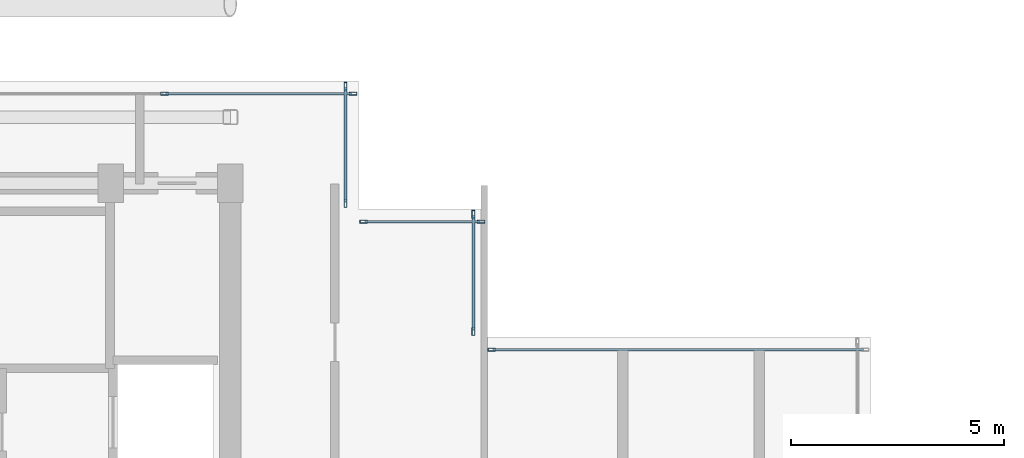
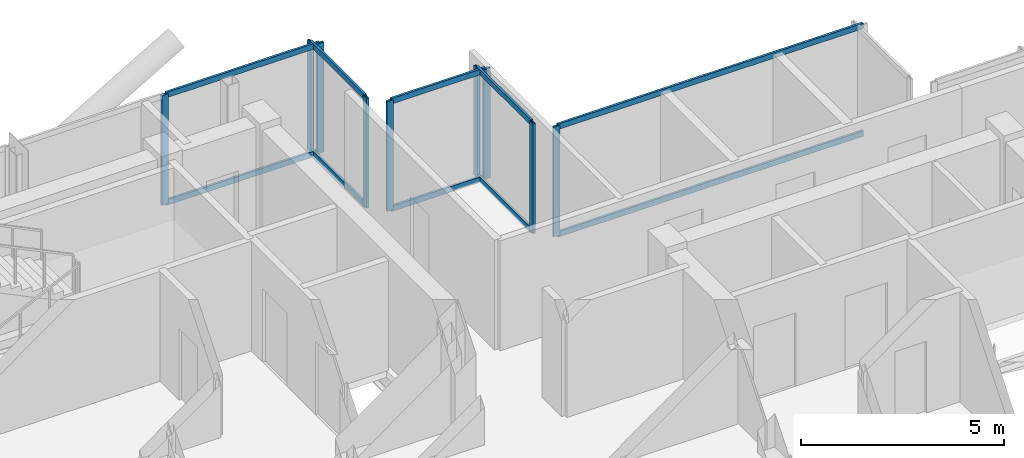
# One storey, part 10 of 18: 19 members, 5 elements without a shape of their own.
"""IFC4 building model written with IfcOpenShell, lengths in metres."""

from ifc_helpers import new_model, si_unit, direction, frame, origin, origin_2d, place, context, subcontext, project, spatial, hollow_rectangle, extrude, material, layer, layer_set, material_profile, profile_set, type_object, element, aggregate, save


model = new_model("IFC4")

# Units and contexts
model_context = context("Model", 3, precision=1e-05, world=origin(), true_north=direction((0.0, 1.0)))
body_context = subcontext(model_context, "Body", "Model", "MODEL_VIEW")
ifc_project = project(units=[si_unit("LENGTHUNIT", "METRE"), si_unit("AREAUNIT", "SQUARE_METRE"), si_unit("VOLUMEUNIT", "CUBIC_METRE"), si_unit("PLANEANGLEUNIT", "RADIAN"), si_unit("MASSUNIT", "GRAM", prefix="KILO"), si_unit("THERMODYNAMICTEMPERATUREUNIT", "KELVIN"), si_unit("POWERUNIT", "WATT")], contexts=[model_context])

# Site, building, storey
site_placement = place(None, origin())
site = spatial("IfcSite", under=ifc_project, at=site_placement, CompositionType="ELEMENT")
building_placement = place(site_placement, origin())
building = spatial("IfcBuilding", under=site, at=building_placement, Name="Svarakhadi Broadcast Tower", CompositionType="ELEMENT")
storey_placement = place(building_placement, frame((0.0, 0.0, 246.699951171875)))
storey = spatial("IfcBuildingStorey", under=building, at=storey_placement, Name="L61", CompositionType="ELEMENT", Elevation=246.699951171875)

# Curtain wall, members
ifc_material = material(Name="Anodised Bronze Aluminium AA 6063-T6", Category="aluminium")
ifc_layer = layer(ifc_material, 0.179931640625)
ifc_layer_set = layer_set([ifc_layer], Name="Anodised Bronze Aluminium AA 6063-T6")
curtain_wall_type = type_object("IfcCurtainWallType", Name="CW_Sys_05", PredefinedType="NOTDEFINED", material=ifc_layer_set)
curtain_wall_1_placement = place(storey_placement, origin())
curtain_wall_1 = element("IfcCurtainWall", 1, at=curtain_wall_1_placement, inside=storey, type_object=curtain_wall_type, Name="L61 Unitised Facade Curtain Wall 05", PredefinedType="NOTDEFINED")
ifc_material_profile_1 = material_profile(ifc_material, hollow_rectangle(XDim=0.070068359375, YDim=0.179931640625, WallThickness=0.005615234375, at=origin_2d()), Name="ALU MULLION 180x70x6")
ifc_profile_set_1 = profile_set([ifc_material_profile_1], Name="Anodised Bronze Aluminium AA 6063-T6")
member_type_1 = type_object("IfcMemberType", Name="CW_Sys_05_Mul", PredefinedType="MULLION", material=ifc_profile_set_1)
member_1_placement = place(storey_placement, frame((16.455078125, 29.699951171875, 0.0), z_axis=(0.0, 0.0, 1.0), x_axis=(0.0, 1.0, 0.0)))
member_1 = element("IfcMember", 2, at=member_1_placement, type_object=member_type_1, Name="CW-05 mullion 4", PredefinedType="MULLION", context=body_context, shape_type="SweptSolid", body=[
    extrude(hollow_rectangle(XDim=0.070068359375, YDim=0.179931640625, WallThickness=0.005615234375, at=origin_2d()), origin(), (0.0, 0.0, 1.0), 3.300048828125),
])
member_2_placement = place(storey_placement, frame((20.875, 29.699951171875, 0.0), z_axis=(0.0, 0.0, 1.0), x_axis=(0.0, 1.0, 0.0)))
member_2 = element("IfcMember", 3, at=member_2_placement, type_object=member_type_1, Name="CW-05 mullion 5", PredefinedType="MULLION", context=body_context, shape_type="SweptSolid", body=[
    extrude(hollow_rectangle(XDim=0.070068359375, YDim=0.179931640625, WallThickness=0.005615234375, at=origin_2d()), origin(), (0.0, 0.0, 1.0), 3.300048828125),
])

curtain_wall_2_placement = place(storey_placement, origin())
curtain_wall_2 = element("IfcCurtainWall", 4, at=curtain_wall_2_placement, inside=storey, type_object=curtain_wall_type, Name="L61 Unitised Facade Curtain Wall 06", PredefinedType="NOTDEFINED")
member_3_placement = place(storey_placement, frame((20.699951171875, 29.875, 0.0), z_axis=(0.0, 0.0, 1.0), x_axis=(1.0, 0.0, 0.0)))
member_3 = element("IfcMember", 5, at=member_3_placement, type_object=member_type_1, Name="CW-05 mullion 1", PredefinedType="MULLION", context=body_context, shape_type="SweptSolid", body=[
    extrude(hollow_rectangle(XDim=0.070068359375, YDim=0.179931640625, WallThickness=0.005615234375, at=origin_2d()), origin(), (0.0, 0.0, 1.0), 3.300048828125),
])
member_4_placement = place(storey_placement, frame((20.699951171875, 27.125, 0.0), z_axis=(0.0, 0.0, 1.0), x_axis=(1.0, 0.0, 0.0)))
member_4 = element("IfcMember", 6, at=member_4_placement, type_object=member_type_1, Name="CW-05 mullion 2", PredefinedType="MULLION", context=body_context, shape_type="SweptSolid", body=[
    extrude(hollow_rectangle(XDim=0.070068359375, YDim=0.179931640625, WallThickness=0.005615234375, at=origin_2d()), origin(), (0.0, 0.0, 1.0), 3.300048828125),
])

curtain_wall_3_placement = place(storey_placement, origin())
curtain_wall_3 = element("IfcCurtainWall", 7, at=curtain_wall_3_placement, inside=storey, type_object=curtain_wall_type, Name="L61 Unitised Facade Curtain Wall 07", PredefinedType="NOTDEFINED")
member_5_placement = place(storey_placement, frame((21.125, 26.699951171875, 0.0), z_axis=(0.0, 0.0, 1.0), x_axis=(0.0, 1.0, 0.0)))
member_5 = element("IfcMember", 8, at=member_5_placement, type_object=member_type_1, Name="CW-05 mullion 1", PredefinedType="MULLION", context=body_context, shape_type="SweptSolid", body=[
    extrude(hollow_rectangle(XDim=0.070068359375, YDim=0.179931640625, WallThickness=0.005615234375, at=origin_2d()), origin(), (0.0, 0.0, 1.0), 3.300048828125),
])
member_6_placement = place(storey_placement, frame((23.875, 26.699951171875, 0.0), z_axis=(0.0, 0.0, 1.0), x_axis=(0.0, 1.0, 0.0)))
member_6 = element("IfcMember", 9, at=member_6_placement, type_object=member_type_1, Name="CW-05 mullion 2", PredefinedType="MULLION", context=body_context, shape_type="SweptSolid", body=[
    extrude(hollow_rectangle(XDim=0.070068359375, YDim=0.179931640625, WallThickness=0.005615234375, at=origin_2d()), origin(), (0.0, 0.0, 1.0), 3.300048828125),
])

curtain_wall_4_placement = place(storey_placement, origin())
curtain_wall_4 = element("IfcCurtainWall", 10, at=curtain_wall_4_placement, inside=storey, type_object=curtain_wall_type, Name="L61 Unitised Facade Curtain Wall 08", PredefinedType="NOTDEFINED")
member_7_placement = place(storey_placement, frame((23.699951171875, 26.875, 0.0), z_axis=(0.0, 0.0, 1.0), x_axis=(1.0, 0.0, 0.0)))
member_7 = element("IfcMember", 11, at=member_7_placement, type_object=member_type_1, Name="CW-05 mullion 1", PredefinedType="MULLION", context=body_context, shape_type="SweptSolid", body=[
    extrude(hollow_rectangle(XDim=0.070068359375, YDim=0.179931640625, WallThickness=0.005615234375, at=origin_2d()), origin(), (0.0, 0.0, 1.0), 3.300048828125),
])
member_8_placement = place(storey_placement, frame((23.699951171875, 24.125, 0.0), z_axis=(0.0, 0.0, 1.0), x_axis=(1.0, 0.0, 0.0)))
member_8 = element("IfcMember", 12, at=member_8_placement, type_object=member_type_1, Name="CW-05 mullion 2", PredefinedType="MULLION", context=body_context, shape_type="SweptSolid", body=[
    extrude(hollow_rectangle(XDim=0.070068359375, YDim=0.179931640625, WallThickness=0.005615234375, at=origin_2d()), origin(), (0.0, 0.0, 1.0), 3.300048828125),
])

# Curtain wall, member
curtain_wall_5_placement = place(storey_placement, origin())
curtain_wall_5 = element("IfcCurtainWall", 13, at=curtain_wall_5_placement, inside=storey, type_object=curtain_wall_type, Name="L61 Unitised Facade Curtain Wall 09", PredefinedType="NOTDEFINED")
member_9_placement = place(storey_placement, frame((24.125, 23.699951171875, 0.0), z_axis=(0.0, 0.0, 1.0), x_axis=(0.0, 1.0, 0.0)))
member_9 = element("IfcMember", 14, at=member_9_placement, type_object=member_type_1, Name="CW-05 mullion 1", PredefinedType="MULLION", context=body_context, shape_type="SweptSolid", body=[
    extrude(hollow_rectangle(XDim=0.070068359375, YDim=0.179931640625, WallThickness=0.005615234375, at=origin_2d()), origin(), (0.0, 0.0, 1.0), 3.300048828125),
])

# Member
ifc_material_profile_2 = material_profile(ifc_material, hollow_rectangle(XDim=0.06494140625, YDim=0.1650390625, WallThickness=0.0048828125, at=origin_2d()), Name="ALU TRANSOM 165x65x5")
ifc_profile_set_2 = profile_set([ifc_material_profile_2], Name="Anodised Bronze Aluminium AA 6063-T6")
member_type_2 = type_object("IfcMemberType", Name="CW_Sys_05_Trn", PredefinedType="USERDEFINED", material=ifc_profile_set_2)
member_10_placement = place(storey_placement, frame((16.489990234375, 29.699951171875, 0.032470703125), z_axis=(1.0, 0.0, 0.0), x_axis=(0.0, 1.0, 0.0)))
member_10 = element("IfcMember", 15, at=member_10_placement, type_object=member_type_2, Name="CW-05 transom 4.1", ObjectType="TRANSOM", PredefinedType="USERDEFINED", context=body_context, shape_type="SweptSolid", body=[
    extrude(hollow_rectangle(XDim=0.06494140625, YDim=0.1650390625, WallThickness=0.0048828125, at=origin_2d()), origin(), (0.0, 0.0, 1.0), 4.35009765625),
])

member_11_placement = place(storey_placement, frame((16.489990234375, 29.699951171875, 3.267578125), z_axis=(1.0, 0.0, 0.0), x_axis=(0.0, 1.0, 0.0)))
member_11 = element("IfcMember", 16, at=member_11_placement, type_object=member_type_2, Name="CW-05 transom 4.2", ObjectType="TRANSOM", PredefinedType="USERDEFINED", context=body_context, shape_type="SweptSolid", body=[
    extrude(hollow_rectangle(XDim=0.06494140625, YDim=0.1650390625, WallThickness=0.0048828125, at=origin_2d()), origin(), (0.0, 0.0, 1.0), 4.35009765625),
])

aggregate(curtain_wall_1, [member_1, member_2, member_10, member_11])

member_12_placement = place(storey_placement, frame((20.699951171875, 29.840087890625, 0.032470703125), z_axis=(0.0, -1.0, 0.0), x_axis=(1.0, 0.0, 0.0)))
member_12 = element("IfcMember", 17, at=member_12_placement, type_object=member_type_2, Name="CW-05 transom 1.1", ObjectType="TRANSOM", PredefinedType="USERDEFINED", context=body_context, shape_type="SweptSolid", body=[
    extrude(hollow_rectangle(XDim=0.06494140625, YDim=0.1650390625, WallThickness=0.0048828125, at=origin_2d()), origin(), (0.0, 0.0, 1.0), 2.68017578125),
])

member_13_placement = place(storey_placement, frame((20.699951171875, 29.840087890625, 3.267578125), z_axis=(0.0, -1.0, 0.0), x_axis=(1.0, 0.0, 0.0)))
member_13 = element("IfcMember", 18, at=member_13_placement, type_object=member_type_2, Name="CW-05 transom 1.2", ObjectType="TRANSOM", PredefinedType="USERDEFINED", context=body_context, shape_type="SweptSolid", body=[
    extrude(hollow_rectangle(XDim=0.06494140625, YDim=0.1650390625, WallThickness=0.0048828125, at=origin_2d()), origin(), (0.0, 0.0, 1.0), 2.68017578125),
])

aggregate(curtain_wall_2, [member_3, member_4, member_12, member_13])

member_14_placement = place(storey_placement, frame((21.159912109375, 26.699951171875, 0.032470703125), z_axis=(1.0, 0.0, 0.0), x_axis=(0.0, 1.0, 0.0)))
member_14 = element("IfcMember", 19, at=member_14_placement, type_object=member_type_2, Name="CW-05 transom 1.1", ObjectType="TRANSOM", PredefinedType="USERDEFINED", context=body_context, shape_type="SweptSolid", body=[
    extrude(hollow_rectangle(XDim=0.06494140625, YDim=0.1650390625, WallThickness=0.0048828125, at=origin_2d()), origin(), (0.0, 0.0, 1.0), 2.68017578125),
])

member_15_placement = place(storey_placement, frame((21.159912109375, 26.699951171875, 3.267578125), z_axis=(1.0, 0.0, 0.0), x_axis=(0.0, 1.0, 0.0)))
member_15 = element("IfcMember", 20, at=member_15_placement, type_object=member_type_2, Name="CW-05 transom 1.2", ObjectType="TRANSOM", PredefinedType="USERDEFINED", context=body_context, shape_type="SweptSolid", body=[
    extrude(hollow_rectangle(XDim=0.06494140625, YDim=0.1650390625, WallThickness=0.0048828125, at=origin_2d()), origin(), (0.0, 0.0, 1.0), 2.68017578125),
])

aggregate(curtain_wall_3, [member_5, member_6, member_14, member_15])

member_16_placement = place(storey_placement, frame((23.699951171875, 26.840087890625, 0.032470703125), z_axis=(0.0, -1.0, 0.0), x_axis=(1.0, 0.0, 0.0)))
member_16 = element("IfcMember", 21, at=member_16_placement, type_object=member_type_2, Name="CW-05 transom 1.1", ObjectType="TRANSOM", PredefinedType="USERDEFINED", context=body_context, shape_type="SweptSolid", body=[
    extrude(hollow_rectangle(XDim=0.06494140625, YDim=0.1650390625, WallThickness=0.0048828125, at=origin_2d()), origin(), (0.0, 0.0, 1.0), 2.68017578125),
])

member_17_placement = place(storey_placement, frame((23.699951171875, 26.840087890625, 3.267578125), z_axis=(0.0, -1.0, 0.0), x_axis=(1.0, 0.0, 0.0)))
member_17 = element("IfcMember", 22, at=member_17_placement, type_object=member_type_2, Name="CW-05 transom 1.2", ObjectType="TRANSOM", PredefinedType="USERDEFINED", context=body_context, shape_type="SweptSolid", body=[
    extrude(hollow_rectangle(XDim=0.06494140625, YDim=0.1650390625, WallThickness=0.0048828125, at=origin_2d()), origin(), (0.0, 0.0, 1.0), 2.68017578125),
])

aggregate(curtain_wall_4, [member_7, member_8, member_16, member_17])

member_18_placement = place(storey_placement, frame((24.159912109375, 23.699951171875, 0.032470703125), z_axis=(1.0, 0.0, 0.0), x_axis=(0.0, 1.0, 0.0)))
member_18 = element("IfcMember", 23, at=member_18_placement, type_object=member_type_2, Name="CW-05 transom 1.1", ObjectType="TRANSOM", PredefinedType="USERDEFINED", context=body_context, shape_type="SweptSolid", body=[
    extrude(hollow_rectangle(XDim=0.06494140625, YDim=0.1650390625, WallThickness=0.0048828125, at=origin_2d()), origin(), (0.0, 0.0, 1.0), 8.68017578125),
])

member_19_placement = place(storey_placement, frame((24.159912109375, 23.699951171875, 3.267578125), z_axis=(1.0, 0.0, 0.0), x_axis=(0.0, 1.0, 0.0)))
member_19 = element("IfcMember", 24, at=member_19_placement, type_object=member_type_2, Name="CW-05 transom 1.2", ObjectType="TRANSOM", PredefinedType="USERDEFINED", context=body_context, shape_type="SweptSolid", body=[
    extrude(hollow_rectangle(XDim=0.06494140625, YDim=0.1650390625, WallThickness=0.0048828125, at=origin_2d()), origin(), (0.0, 0.0, 1.0), 8.68017578125),
])

aggregate(curtain_wall_5, [member_9, member_18, member_19])

save(model, "model.ifc")
